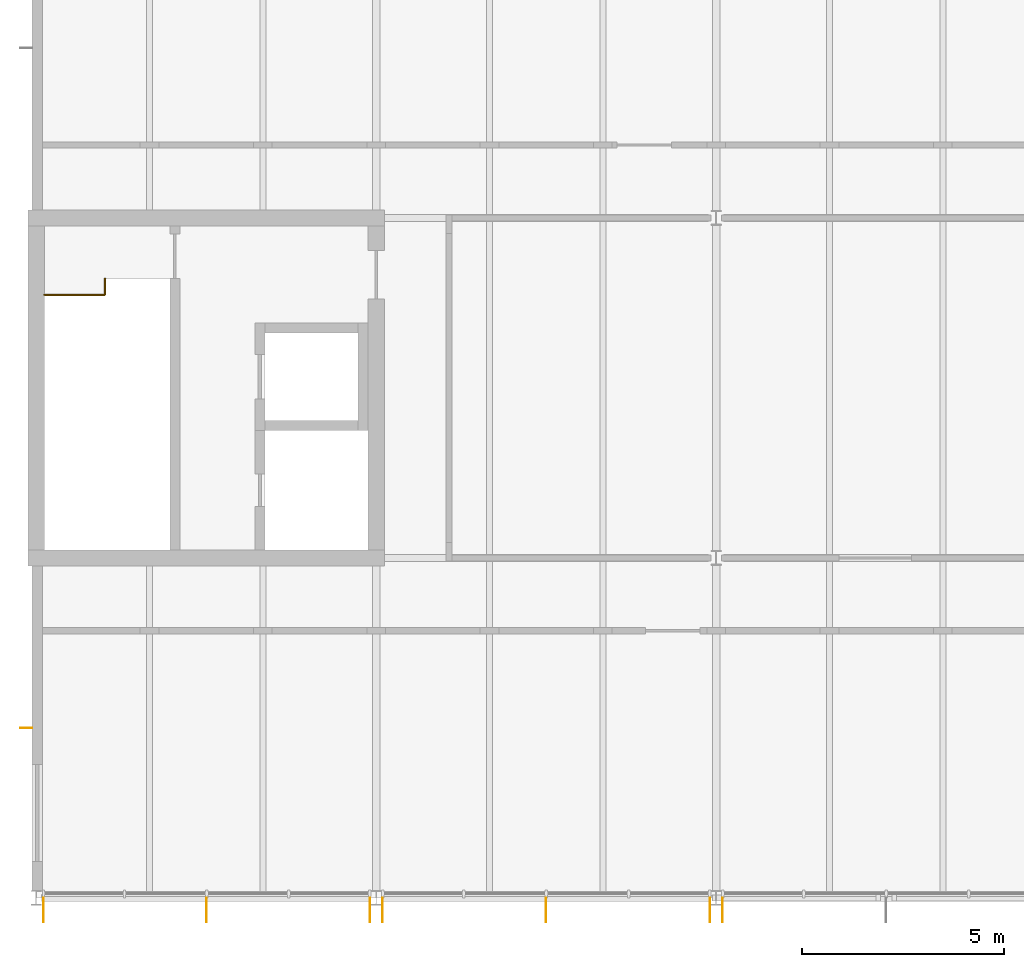
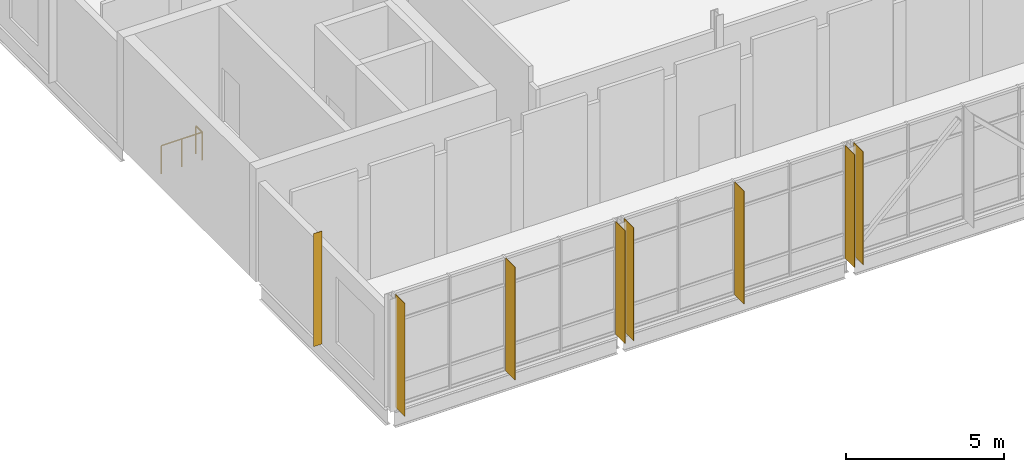
# One storey, part 58 of 72: 8 shading devices, 1 railing.
"""IFC4 building model written with IfcOpenShell, lengths in metres."""

from ifc_helpers import new_model, si_unit, direction, frame, origin, origin_2d, place, context, subcontext, project, spatial, rectangle, circle, extrude, material, layer, layer_set, type_object, element, save


model = new_model("IFC4")

# Units and contexts
model_context = context("Model", 3, precision=1e-05, world=origin(), true_north=direction((0.0, 1.0)))
body_context = subcontext(model_context, "Body", "Model", "MODEL_VIEW")
ifc_project = project(units=[si_unit("LENGTHUNIT", "METRE"), si_unit("AREAUNIT", "SQUARE_METRE"), si_unit("VOLUMEUNIT", "CUBIC_METRE"), si_unit("PLANEANGLEUNIT", "RADIAN"), si_unit("MASSUNIT", "GRAM", prefix="KILO")], contexts=[model_context])

# Site, building, storey
site_placement = place(None, origin())
site = spatial("IfcSite", under=ifc_project, at=site_placement, CompositionType="ELEMENT")
building_placement = place(site_placement, origin())
building = spatial("IfcBuilding", under=site, at=building_placement, Name="Hlaing Beacon Police Headquarters", CompositionType="ELEMENT")
storey_placement = place(building_placement, frame((0.0, 0.0, 14.39990234375)))
storey = spatial("IfcBuildingStorey", under=building, at=storey_placement, Name="L03", CompositionType="ELEMENT", Elevation=14.39990234375)

# Shading devices
ifc_material_1 = material(Name="Aluminium 6063-T5 anodised", Category="aluminium")
ifc_layer_1 = layer(ifc_material_1, 0.011962890625)
ifc_layer_set_1 = layer_set([ifc_layer_1], Name="Aluminium 6063-T5 anodised")
shading_device_type_1 = type_object("IfcShadingDeviceType", Name="Aluminium fin 12x300", PredefinedType="JALOUSIE", material=ifc_layer_set_1)
shading_device_placement = place(storey_placement, frame((8.14990234375, 12.60009765625, 0.0), z_axis=(0.0, 0.0, 1.0), x_axis=(0.0, -1.0, 0.0)))
element("IfcShadingDevice", 1, at=shading_device_placement, inside=storey, type_object=shading_device_type_1, Name="Fin L03 W009", PredefinedType="JALOUSIE", context=body_context, shape_type="SweptSolid", body=[
    extrude(rectangle(XDim=0.011962890625, YDim=0.300048828125, at=origin_2d()), origin(), (0.0, 0.0, 1.0), 4.3701171875),
])
ifc_material_2 = material(Name="Aluminium 6063-T5 anodised", Category="aluminium")
ifc_layer_2 = layer(ifc_material_2, 0.011962890625)
ifc_layer_set_2 = layer_set([ifc_layer_2], Name="Aluminium 6063-T5 anodised")
shading_device_type_2 = type_object("IfcShadingDeviceType", Name="Aluminium fin 12x600", PredefinedType="JALOUSIE", material=ifc_layer_set_2)
for number, where, z_axis, x_axis, name in (
    (2, (8.580078125, 8.10009765625, 0.0), (0.0, 0.0, 1.0), (1.0, 0.0, 0.0), "Fin L03 S015.0"),
    (3, (12.611572265625, 8.10009765625, 0.0), (0.0, 0.0, 1.0), (1.0, 0.0, 0.0), "Fin L03 S015.2"),
    (4, (16.64306640625, 8.10009765625, 0.0), (0.0, 0.0, 1.0), (1.0, 0.0, 0.0), "Fin L03 S015.4"),
    (5, (16.95703125, 8.10009765625, 0.0), (0.0, 0.0, 1.0), (1.0, 0.0, 0.0), "Fin L03 S016.0"),
    (6, (20.999267578125, 8.10009765625, 0.0), (0.0, 0.0, 1.0), (1.0, 0.0, 0.0), "Fin L03 S016.2"),
    (7, (25.041748046875, 8.10009765625, 0.0), (0.0, 0.0, 1.0), (1.0, 0.0, 0.0), "Fin L03 S016.4"),
    (8, (25.3583984375, 8.10009765625, 0.0), (0.0, 0.0, 1.0), (1.0, 0.0, 0.0), "Fin L03 S017.0"),
):
    element("IfcShadingDevice", number, at=place(storey_placement, frame(where, z_axis=z_axis, x_axis=x_axis)), inside=storey, type_object=shading_device_type_2, Name=name, PredefinedType="JALOUSIE", context=body_context, shape_type="SweptSolid", body=[
        extrude(rectangle(XDim=0.011962890625, YDim=0.60009765625, at=origin_2d()), origin(), (0.0, 0.0, 1.0), 4.3701171875),
    ])

# Railing
ifc_material_3 = material(Name="Stainless steel", Category="steel")
railing_type = type_object("IfcRailingType", Name="Stair guard 1100", PredefinedType="GUARDRAIL", material=ifc_material_3)
railing_placement = place(storey_placement, frame((8.60009765625, 23.300048828125, 0.0)))
element("IfcRailing", 9, at=railing_placement, inside=storey, type_object=railing_type, Name="Guard ST-J", PredefinedType="GUARDRAIL", context=body_context, shape_type="SweptSolid", body=[
    extrude(circle(Radius=0.02392578125, at=origin_2d()), frame((0.0, 0.0, 1.076171875), z_axis=(1.0, 0.0, 0.0), x_axis=(0.0, 1.0, 0.0)), (0.0, 0.0, 1.0), 1.5),
    extrude(circle(Radius=0.02392578125, at=origin_2d()), frame((1.5, 0.0, 1.076171875), z_axis=(0.0, 1.0, 0.0), x_axis=(-1.0, 0.0, 0.0)), (0.0, 0.0, 1.0), 0.39990234375),
    extrude(circle(Radius=0.02099609375, at=origin_2d()), origin(), (0.0, 0.0, 1.0), 1.052001953125),
    extrude(circle(Radius=0.02099609375, at=origin_2d()), frame((0.75, 0.0, 0.0)), (0.0, 0.0, 1.0), 1.052001953125),
    extrude(circle(Radius=0.02099609375, at=origin_2d()), frame((1.5, 0.0, 0.0)), (0.0, 0.0, 1.0), 1.052001953125),
    extrude(circle(Radius=0.02099609375, at=origin_2d()), frame((1.5, 0.39990234375, 0.0)), (0.0, 0.0, 1.0), 1.052001953125),
])

save(model, "model.ifc")
